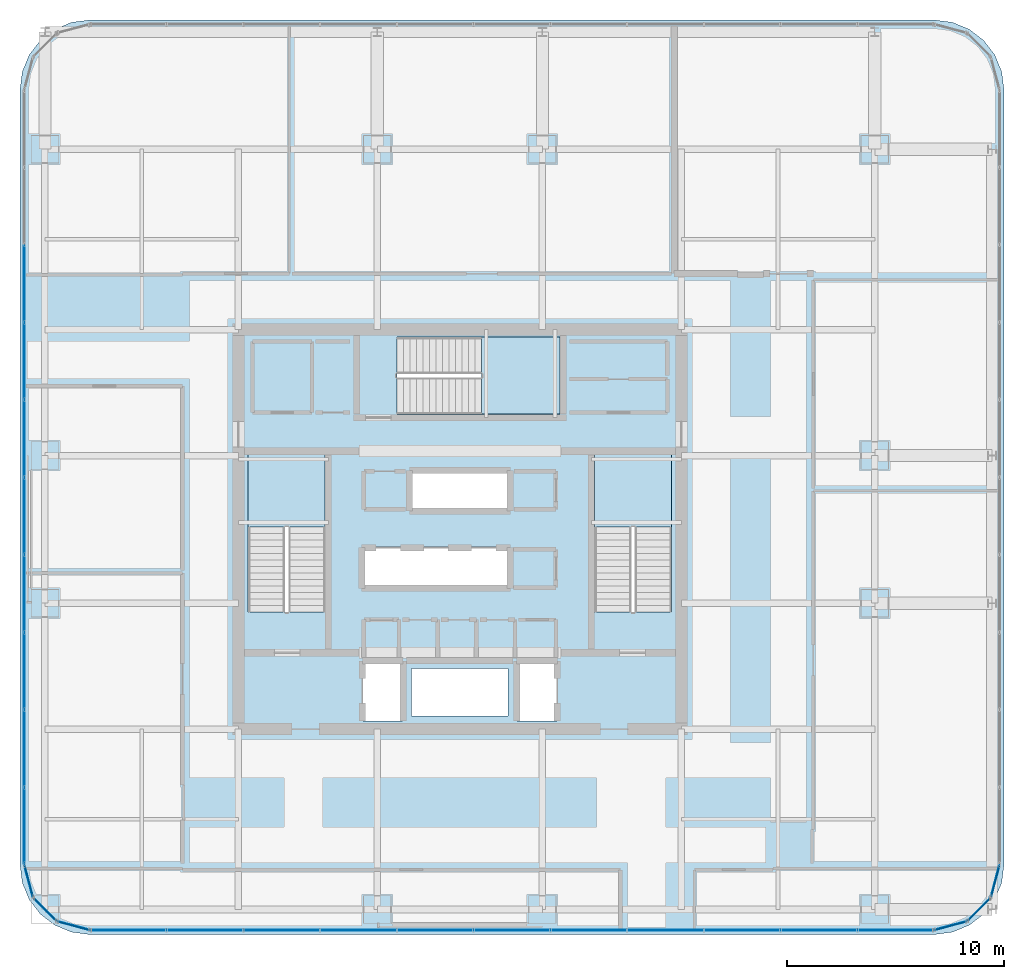
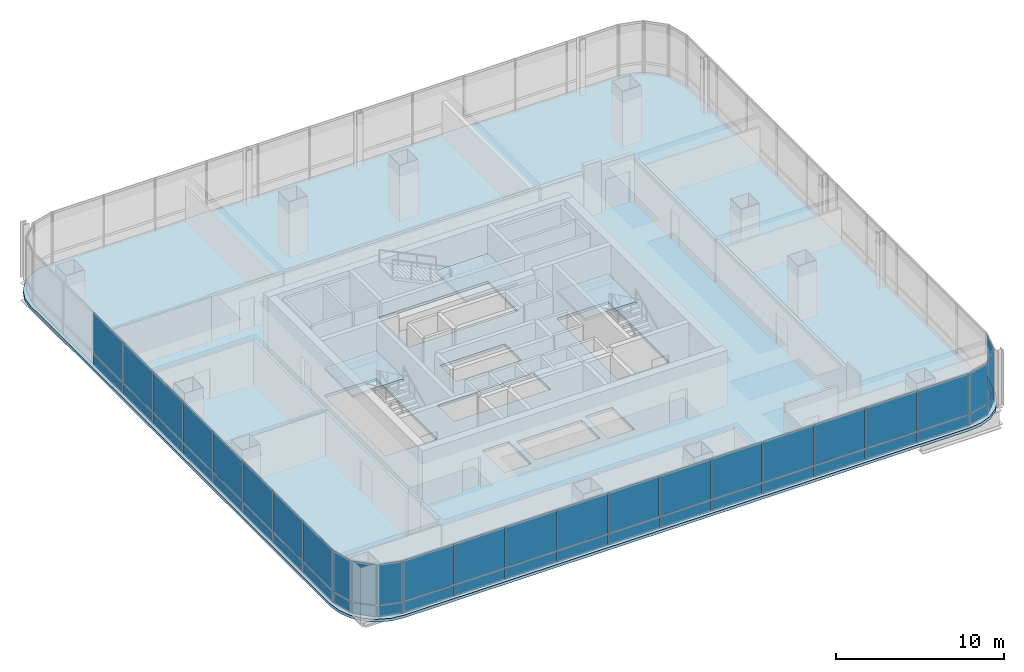
# One storey, part 31 of 40: 50 plates, 4 slabs, 11 elements without a shape of their own.
"""IFC4 building model written with IfcOpenShell, lengths in metres."""

from ifc_helpers import new_model, si_unit, direction, frame, origin, origin_2d, place, context, subcontext, project, spatial, polyline, rectangle, outline, extrude, material, layer, layer_set, type_object, element, aggregate, save


model = new_model("IFC4")

# Units and contexts
model_context = context("Model", 3, precision=1e-05, world=origin(), true_north=direction((0.0, 1.0)))
body_context = subcontext(model_context, "Body", "Model", "MODEL_VIEW")
ifc_project = project(units=[si_unit("LENGTHUNIT", "METRE"), si_unit("AREAUNIT", "SQUARE_METRE"), si_unit("VOLUMEUNIT", "CUBIC_METRE"), si_unit("PLANEANGLEUNIT", "RADIAN"), si_unit("MASSUNIT", "GRAM", prefix="KILO")], contexts=[model_context])

# Site, building, storey
site_placement = place(None, origin())
site = spatial("IfcSite", under=ifc_project, at=site_placement, CompositionType="ELEMENT")
building_placement = place(site_placement, origin())
building = spatial("IfcBuilding", under=site, at=building_placement, Name="Punatoya Terracotta Tower", CompositionType="ELEMENT")
storey_placement = place(building_placement, frame((0.0, 0.0, 271.64990234375)))
storey = spatial("IfcBuildingStorey", under=building, at=storey_placement, Name="L64", CompositionType="ELEMENT", Elevation=271.64990234375)

# Curtain wall, plates
ifc_material_1 = material(Name="Aluminium 6063-T6 + Double Low-E Glass", Category="aluminium")
curtain_wall_type = type_object("IfcCurtainWallType", Name="CW-M3", PredefinedType="NOTDEFINED", material=ifc_material_1)
curtain_wall_1_placement = place(storey_placement, origin())
curtain_wall_1 = element("IfcCurtainWall", 1, at=curtain_wall_1_placement, inside=storey, type_object=curtain_wall_type, Name="L64 Curtain Wall CW-L64-S01-1", PredefinedType="NOTDEFINED")
ifc_material_2 = material(Name="Double Low-E Acoustic Vision Glass", Category="glass")
ifc_layer_1 = layer(ifc_material_2, 0.031982421875)
ifc_layer_set_1 = layer_set([ifc_layer_1], Name="Double Low-E Acoustic Vision Glass")
plate_type_1 = type_object("IfcPlateType", Name="PLT-GLZ-32", PredefinedType="CURTAIN_PANEL", material=ifc_layer_set_1)
plate_1_placement = place(storey_placement, frame((-15.27001953125, -18.449951171875, 0.89013671875), z_axis=(0.0, 0.0, 1.0), x_axis=(1.0, 0.0, 0.0)))
plate_1 = element("IfcPlate", 2, at=plate_1_placement, type_object=plate_type_1, Name="CW-L64-S01-1 Vision Glass Panel 1", PredefinedType="CURTAIN_PANEL", context=body_context, shape_type="SweptSolid", body=[
    extrude(rectangle(XDim=3.448974609375, YDim=0.031982421875, at=origin_2d()), origin(), (0.0, 0.0, 1.0), 2.919921875),
])
plate_2_placement = place(storey_placement, frame((-11.73583984375, -18.449951171875, 0.89013671875), z_axis=(0.0, 0.0, 1.0), x_axis=(1.0, 0.0, 0.0)))
plate_2 = element("IfcPlate", 3, at=plate_2_placement, type_object=plate_type_1, Name="CW-L64-S01-1 Vision Glass Panel 2", PredefinedType="CURTAIN_PANEL", context=body_context, shape_type="SweptSolid", body=[
    extrude(rectangle(XDim=3.448974609375, YDim=0.031982421875, at=origin_2d()), origin(), (0.0, 0.0, 1.0), 2.919921875),
])
plate_3_placement = place(storey_placement, frame((-8.201904296875, -18.449951171875, 0.89013671875), z_axis=(0.0, 0.0, 1.0), x_axis=(1.0, 0.0, 0.0)))
plate_3 = element("IfcPlate", 4, at=plate_3_placement, type_object=plate_type_1, Name="CW-L64-S01-1 Vision Glass Panel 3", PredefinedType="CURTAIN_PANEL", context=body_context, shape_type="SweptSolid", body=[
    extrude(rectangle(XDim=3.448974609375, YDim=0.031982421875, at=origin_2d()), origin(), (0.0, 0.0, 1.0), 2.919921875),
])
plate_4_placement = place(storey_placement, frame((-4.66796875, -18.449951171875, 0.89013671875), z_axis=(0.0, 0.0, 1.0), x_axis=(1.0, 0.0, 0.0)))
plate_4 = element("IfcPlate", 5, at=plate_4_placement, type_object=plate_type_1, Name="CW-L64-S01-1 Vision Glass Panel 4", PredefinedType="CURTAIN_PANEL", context=body_context, shape_type="SweptSolid", body=[
    extrude(rectangle(XDim=3.448974609375, YDim=0.031982421875, at=origin_2d()), origin(), (0.0, 0.0, 1.0), 2.919921875),
])
plate_5_placement = place(storey_placement, frame((-1.134033203125, -18.449951171875, 0.89013671875), z_axis=(0.0, 0.0, 1.0), x_axis=(1.0, 0.0, 0.0)))
plate_5 = element("IfcPlate", 6, at=plate_5_placement, type_object=plate_type_1, Name="CW-L64-S01-1 Vision Glass Panel 5", PredefinedType="CURTAIN_PANEL", context=body_context, shape_type="SweptSolid", body=[
    extrude(rectangle(XDim=3.448974609375, YDim=0.031982421875, at=origin_2d()), origin(), (0.0, 0.0, 1.0), 2.919921875),
])
plate_6_placement = place(storey_placement, frame((2.39990234375, -18.449951171875, 0.89013671875), z_axis=(0.0, 0.0, 1.0), x_axis=(1.0, 0.0, 0.0)))
plate_6 = element("IfcPlate", 7, at=plate_6_placement, type_object=plate_type_1, Name="CW-L64-S01-1 Vision Glass Panel 6", PredefinedType="CURTAIN_PANEL", context=body_context, shape_type="SweptSolid", body=[
    extrude(rectangle(XDim=3.448974609375, YDim=0.031982421875, at=origin_2d()), origin(), (0.0, 0.0, 1.0), 2.919921875),
])
plate_7_placement = place(storey_placement, frame((5.93408203125, -18.449951171875, 0.89013671875), z_axis=(0.0, 0.0, 1.0), x_axis=(1.0, 0.0, 0.0)))
plate_7 = element("IfcPlate", 8, at=plate_7_placement, type_object=plate_type_1, Name="CW-L64-S01-1 Vision Glass Panel 7", PredefinedType="CURTAIN_PANEL", context=body_context, shape_type="SweptSolid", body=[
    extrude(rectangle(XDim=3.448974609375, YDim=0.031982421875, at=origin_2d()), origin(), (0.0, 0.0, 1.0), 2.919921875),
])
plate_8_placement = place(storey_placement, frame((9.468017578125, -18.449951171875, 0.89013671875), z_axis=(0.0, 0.0, 1.0), x_axis=(1.0, 0.0, 0.0)))
plate_8 = element("IfcPlate", 9, at=plate_8_placement, type_object=plate_type_1, Name="CW-L64-S01-1 Vision Glass Panel 8", PredefinedType="CURTAIN_PANEL", context=body_context, shape_type="SweptSolid", body=[
    extrude(rectangle(XDim=3.448974609375, YDim=0.031982421875, at=origin_2d()), origin(), (0.0, 0.0, 1.0), 2.919921875),
])
plate_9_placement = place(storey_placement, frame((13.001953125, -18.449951171875, 0.89013671875), z_axis=(0.0, 0.0, 1.0), x_axis=(1.0, 0.0, 0.0)))
plate_9 = element("IfcPlate", 10, at=plate_9_placement, type_object=plate_type_1, Name="CW-L64-S01-1 Vision Glass Panel 9", PredefinedType="CURTAIN_PANEL", context=body_context, shape_type="SweptSolid", body=[
    extrude(rectangle(XDim=3.448974609375, YDim=0.031982421875, at=origin_2d()), origin(), (0.0, 0.0, 1.0), 2.919921875),
])
plate_10_placement = place(storey_placement, frame((16.535888671875, -18.449951171875, 0.89013671875), z_axis=(0.0, 0.0, 1.0), x_axis=(1.0, 0.0, 0.0)))
plate_10 = element("IfcPlate", 11, at=plate_10_placement, type_object=plate_type_1, Name="CW-L64-S01-1 Vision Glass Panel 10", PredefinedType="CURTAIN_PANEL", context=body_context, shape_type="SweptSolid", body=[
    extrude(rectangle(XDim=3.448974609375, YDim=0.031982421875, at=origin_2d()), origin(), (0.0, 0.0, 1.0), 2.919921875),
])
plate_11_placement = place(storey_placement, frame((20.06982421875, -18.449951171875, 0.89013671875), z_axis=(0.0, 0.0, 1.0), x_axis=(1.0, 0.0, 0.0)))
plate_11 = element("IfcPlate", 12, at=plate_11_placement, type_object=plate_type_1, Name="CW-L64-S01-1 Vision Glass Panel 11", PredefinedType="CURTAIN_PANEL", context=body_context, shape_type="SweptSolid", body=[
    extrude(rectangle(XDim=3.448974609375, YDim=0.031982421875, at=origin_2d()), origin(), (0.0, 0.0, 1.0), 2.919921875),
])

# Curtain wall, plate
curtain_wall_2_placement = place(storey_placement, origin())
curtain_wall_2 = element("IfcCurtainWall", 13, at=curtain_wall_2_placement, inside=storey, type_object=curtain_wall_type, Name="L64 Curtain Wall CW-L64-CRN02", PredefinedType="NOTDEFINED")
plate_12_placement = place(storey_placement, frame((22.593017578125, -18.248291015625, 0.89013671875), z_axis=(0.0, 0.0, 1.0), x_axis=(0.966213877436, 0.257741620719, 0.0)))
plate_12 = element("IfcPlate", 14, at=plate_12_placement, type_object=plate_type_1, Name="CW-L64-CRN02 Vision Glass Panel 1", PredefinedType="CURTAIN_PANEL", context=body_context, shape_type="SweptSolid", body=[
    extrude(rectangle(XDim=1.47998046875, YDim=0.031982421875, at=origin_2d()), origin(), (0.0, 0.0, 1.0), 2.919921875),
])

curtain_wall_3_placement = place(storey_placement, origin())
curtain_wall_3 = element("IfcCurtainWall", 15, at=curtain_wall_3_placement, inside=storey, type_object=curtain_wall_type, Name="L64 Curtain Wall CW-L64-CRN03", PredefinedType="NOTDEFINED")
plate_13_placement = place(storey_placement, frame((23.89794921875, -17.497802734375, 0.89013671875), z_axis=(0.0, 0.0, 1.0), x_axis=(0.707106781187, 0.707106781187, 0.0)))
plate_13 = element("IfcPlate", 16, at=plate_13_placement, type_object=plate_type_1, Name="CW-L64-CRN03 Vision Glass Panel 1", PredefinedType="CURTAIN_PANEL", context=body_context, shape_type="SweptSolid", body=[
    extrude(rectangle(XDim=1.467041015625, YDim=0.031982421875, at=origin_2d()), origin(), (0.0, 0.0, 1.0), 2.919921875),
])

curtain_wall_4_placement = place(storey_placement, origin())
curtain_wall_4 = element("IfcCurtainWall", 17, at=curtain_wall_4_placement, inside=storey, type_object=curtain_wall_type, Name="L64 Curtain Wall CW-L64-CRN04", PredefinedType="NOTDEFINED")
plate_14_placement = place(storey_placement, frame((24.648193359375, -16.193115234375, 0.89013671875), z_axis=(0.0, 0.0, 1.0), x_axis=(0.257741620719, 0.966213877436, 0.0)))
plate_14 = element("IfcPlate", 18, at=plate_14_placement, type_object=plate_type_1, Name="CW-L64-CRN04 Vision Glass Panel 1", PredefinedType="CURTAIN_PANEL", context=body_context, shape_type="SweptSolid", body=[
    extrude(rectangle(XDim=1.47998046875, YDim=0.031982421875, at=origin_2d()), origin(), (0.0, 0.0, 1.0), 2.919921875),
])

# Curtain wall, plates
curtain_wall_5_placement = place(storey_placement, origin())
curtain_wall_5 = element("IfcCurtainWall", 19, at=curtain_wall_5_placement, inside=storey, type_object=curtain_wall_type, Name="L64 Curtain Wall CW-L64-W13-1", PredefinedType="NOTDEFINED")
plate_15_placement = place(storey_placement, frame((-20.050048828125, 11.318359375, 0.89013671875), z_axis=(0.0, 0.0, 1.0), x_axis=(0.0, -1.0, 0.0)))
plate_15 = element("IfcPlate", 20, at=plate_15_placement, type_object=plate_type_1, Name="CW-L64-W13-1 Vision Glass Panel 3", PredefinedType="CURTAIN_PANEL", context=body_context, shape_type="SweptSolid", body=[
    extrude(rectangle(XDim=3.482421875, YDim=0.031982421875, at=origin_2d()), origin(), (0.0, 0.0, 1.0), 2.919921875),
])
plate_16_placement = place(storey_placement, frame((-20.050048828125, 7.751220703125, 0.89013671875), z_axis=(0.0, 0.0, 1.0), x_axis=(0.0, -1.0, 0.0)))
plate_16 = element("IfcPlate", 21, at=plate_16_placement, type_object=plate_type_1, Name="CW-L64-W13-1 Vision Glass Panel 4", PredefinedType="CURTAIN_PANEL", context=body_context, shape_type="SweptSolid", body=[
    extrude(rectangle(XDim=3.482421875, YDim=0.031982421875, at=origin_2d()), origin(), (0.0, 0.0, 1.0), 2.919921875),
])
plate_17_placement = place(storey_placement, frame((-20.050048828125, 4.18359375, 0.89013671875), z_axis=(0.0, 0.0, 1.0), x_axis=(0.0, -1.0, 0.0)))
plate_17 = element("IfcPlate", 22, at=plate_17_placement, type_object=plate_type_1, Name="CW-L64-W13-1 Vision Glass Panel 5", PredefinedType="CURTAIN_PANEL", context=body_context, shape_type="SweptSolid", body=[
    extrude(rectangle(XDim=3.482421875, YDim=0.031982421875, at=origin_2d()), origin(), (0.0, 0.0, 1.0), 2.919921875),
])
plate_18_placement = place(storey_placement, frame((-20.050048828125, 0.6162109375, 0.89013671875), z_axis=(0.0, 0.0, 1.0), x_axis=(0.0, -1.0, 0.0)))
plate_18 = element("IfcPlate", 23, at=plate_18_placement, type_object=plate_type_1, Name="CW-L64-W13-1 Vision Glass Panel 6", PredefinedType="CURTAIN_PANEL", context=body_context, shape_type="SweptSolid", body=[
    extrude(rectangle(XDim=3.482421875, YDim=0.031982421875, at=origin_2d()), origin(), (0.0, 0.0, 1.0), 2.919921875),
])
plate_19_placement = place(storey_placement, frame((-20.050048828125, -2.951171875, 0.89013671875), z_axis=(0.0, 0.0, 1.0), x_axis=(0.0, -1.0, 0.0)))
plate_19 = element("IfcPlate", 24, at=plate_19_placement, type_object=plate_type_1, Name="CW-L64-W13-1 Vision Glass Panel 7", PredefinedType="CURTAIN_PANEL", context=body_context, shape_type="SweptSolid", body=[
    extrude(rectangle(XDim=3.482421875, YDim=0.031982421875, at=origin_2d()), origin(), (0.0, 0.0, 1.0), 2.919921875),
])
plate_20_placement = place(storey_placement, frame((-20.050048828125, -6.518310546875, 0.89013671875), z_axis=(0.0, 0.0, 1.0), x_axis=(0.0, -1.0, 0.0)))
plate_20 = element("IfcPlate", 25, at=plate_20_placement, type_object=plate_type_1, Name="CW-L64-W13-1 Vision Glass Panel 8", PredefinedType="CURTAIN_PANEL", context=body_context, shape_type="SweptSolid", body=[
    extrude(rectangle(XDim=3.482421875, YDim=0.031982421875, at=origin_2d()), origin(), (0.0, 0.0, 1.0), 2.919921875),
])
plate_21_placement = place(storey_placement, frame((-20.050048828125, -10.085693359375, 0.89013671875), z_axis=(0.0, 0.0, 1.0), x_axis=(0.0, -1.0, 0.0)))
plate_21 = element("IfcPlate", 26, at=plate_21_placement, type_object=plate_type_1, Name="CW-L64-W13-1 Vision Glass Panel 9", PredefinedType="CURTAIN_PANEL", context=body_context, shape_type="SweptSolid", body=[
    extrude(rectangle(XDim=3.482421875, YDim=0.031982421875, at=origin_2d()), origin(), (0.0, 0.0, 1.0), 2.919921875),
])
plate_22_placement = place(storey_placement, frame((-20.050048828125, -13.6533203125, 0.89013671875), z_axis=(0.0, 0.0, 1.0), x_axis=(0.0, -1.0, 0.0)))
plate_22 = element("IfcPlate", 27, at=plate_22_placement, type_object=plate_type_1, Name="CW-L64-W13-1 Vision Glass Panel 10", PredefinedType="CURTAIN_PANEL", context=body_context, shape_type="SweptSolid", body=[
    extrude(rectangle(XDim=3.482421875, YDim=0.031982421875, at=origin_2d()), origin(), (0.0, 0.0, 1.0), 2.919921875),
])

# Curtain wall, plate
curtain_wall_6_placement = place(storey_placement, origin())
curtain_wall_6 = element("IfcCurtainWall", 28, at=curtain_wall_6_placement, inside=storey, type_object=curtain_wall_type, Name="L64 Curtain Wall CW-L64-CRN14", PredefinedType="NOTDEFINED")
plate_23_placement = place(storey_placement, frame((-19.848388671875, -16.193115234375, 0.89013671875), z_axis=(0.0, 0.0, 1.0), x_axis=(0.257741620719, -0.966213877436, 0.0)))
plate_23 = element("IfcPlate", 29, at=plate_23_placement, type_object=plate_type_1, Name="CW-L64-CRN14 Vision Glass Panel 1", PredefinedType="CURTAIN_PANEL", context=body_context, shape_type="SweptSolid", body=[
    extrude(rectangle(XDim=1.47998046875, YDim=0.031982421875, at=origin_2d()), origin(), (0.0, 0.0, 1.0), 2.919921875),
])

curtain_wall_7_placement = place(storey_placement, origin())
curtain_wall_7 = element("IfcCurtainWall", 30, at=curtain_wall_7_placement, inside=storey, type_object=curtain_wall_type, Name="L64 Curtain Wall CW-L64-CRN15", PredefinedType="NOTDEFINED")
plate_24_placement = place(storey_placement, frame((-19.097900390625, -17.497802734375, 0.89013671875), z_axis=(0.0, 0.0, 1.0), x_axis=(0.707106781187, -0.707106781187, 0.0)))
plate_24 = element("IfcPlate", 31, at=plate_24_placement, type_object=plate_type_1, Name="CW-L64-CRN15 Vision Glass Panel 1", PredefinedType="CURTAIN_PANEL", context=body_context, shape_type="SweptSolid", body=[
    extrude(rectangle(XDim=1.467041015625, YDim=0.031982421875, at=origin_2d()), origin(), (0.0, 0.0, 1.0), 2.919921875),
])

curtain_wall_8_placement = place(storey_placement, origin())
curtain_wall_8 = element("IfcCurtainWall", 32, at=curtain_wall_8_placement, inside=storey, type_object=curtain_wall_type, Name="L64 Curtain Wall CW-L64-CRN16", PredefinedType="NOTDEFINED")
plate_25_placement = place(storey_placement, frame((-17.79296875, -18.248291015625, 0.89013671875), z_axis=(0.0, 0.0, 1.0), x_axis=(0.966213877436, -0.257741620719, 0.0)))
plate_25 = element("IfcPlate", 33, at=plate_25_placement, type_object=plate_type_1, Name="CW-L64-CRN16 Vision Glass Panel 1", PredefinedType="CURTAIN_PANEL", context=body_context, shape_type="SweptSolid", body=[
    extrude(rectangle(XDim=1.47998046875, YDim=0.031982421875, at=origin_2d()), origin(), (0.0, 0.0, 1.0), 2.919921875),
])

# Plate
ifc_material_3 = material(Name="Insulated Terracotta-Backed Spandrel Panel", Category="masonry")
ifc_layer_2 = layer(ifc_material_3, 0.044921875)
ifc_layer_set_2 = layer_set([ifc_layer_2], Name="Insulated Terracotta-Backed Spandrel Panel")
plate_type_2 = type_object("IfcPlateType", Name="PLT-SPN-45", PredefinedType="CURTAIN_PANEL", material=ifc_layer_set_2)
plate_26_placement = place(storey_placement, frame((-15.27001953125, -18.449951171875, 0.0400390625), z_axis=(0.0, 0.0, 1.0), x_axis=(1.0, 0.0, 0.0)))
plate_26 = element("IfcPlate", 34, at=plate_26_placement, type_object=plate_type_2, Name="CW-L64-S01-1 Terracotta Spandrel Panel 1", PredefinedType="CURTAIN_PANEL", context=body_context, shape_type="SweptSolid", body=[
    extrude(rectangle(XDim=3.448974609375, YDim=0.044921875, at=origin_2d()), origin(), (0.0, 0.0, 1.0), 0.77490234375),
])

plate_27_placement = place(storey_placement, frame((-11.73583984375, -18.449951171875, 0.0400390625), z_axis=(0.0, 0.0, 1.0), x_axis=(1.0, 0.0, 0.0)))
plate_27 = element("IfcPlate", 35, at=plate_27_placement, type_object=plate_type_2, Name="CW-L64-S01-1 Terracotta Spandrel Panel 2", PredefinedType="CURTAIN_PANEL", context=body_context, shape_type="SweptSolid", body=[
    extrude(rectangle(XDim=3.448974609375, YDim=0.044921875, at=origin_2d()), origin(), (0.0, 0.0, 1.0), 0.77490234375),
])

plate_28_placement = place(storey_placement, frame((-8.201904296875, -18.449951171875, 0.0400390625), z_axis=(0.0, 0.0, 1.0), x_axis=(1.0, 0.0, 0.0)))
plate_28 = element("IfcPlate", 36, at=plate_28_placement, type_object=plate_type_2, Name="CW-L64-S01-1 Terracotta Spandrel Panel 3", PredefinedType="CURTAIN_PANEL", context=body_context, shape_type="SweptSolid", body=[
    extrude(rectangle(XDim=3.448974609375, YDim=0.044921875, at=origin_2d()), origin(), (0.0, 0.0, 1.0), 0.77490234375),
])

plate_29_placement = place(storey_placement, frame((-4.66796875, -18.449951171875, 0.0400390625), z_axis=(0.0, 0.0, 1.0), x_axis=(1.0, 0.0, 0.0)))
plate_29 = element("IfcPlate", 37, at=plate_29_placement, type_object=plate_type_2, Name="CW-L64-S01-1 Terracotta Spandrel Panel 4", PredefinedType="CURTAIN_PANEL", context=body_context, shape_type="SweptSolid", body=[
    extrude(rectangle(XDim=3.448974609375, YDim=0.044921875, at=origin_2d()), origin(), (0.0, 0.0, 1.0), 0.77490234375),
])

plate_30_placement = place(storey_placement, frame((-1.134033203125, -18.449951171875, 0.0400390625), z_axis=(0.0, 0.0, 1.0), x_axis=(1.0, 0.0, 0.0)))
plate_30 = element("IfcPlate", 38, at=plate_30_placement, type_object=plate_type_2, Name="CW-L64-S01-1 Terracotta Spandrel Panel 5", PredefinedType="CURTAIN_PANEL", context=body_context, shape_type="SweptSolid", body=[
    extrude(rectangle(XDim=3.448974609375, YDim=0.044921875, at=origin_2d()), origin(), (0.0, 0.0, 1.0), 0.77490234375),
])

plate_31_placement = place(storey_placement, frame((2.39990234375, -18.449951171875, 0.0400390625), z_axis=(0.0, 0.0, 1.0), x_axis=(1.0, 0.0, 0.0)))
plate_31 = element("IfcPlate", 39, at=plate_31_placement, type_object=plate_type_2, Name="CW-L64-S01-1 Terracotta Spandrel Panel 6", PredefinedType="CURTAIN_PANEL", context=body_context, shape_type="SweptSolid", body=[
    extrude(rectangle(XDim=3.448974609375, YDim=0.044921875, at=origin_2d()), origin(), (0.0, 0.0, 1.0), 0.77490234375),
])

plate_32_placement = place(storey_placement, frame((5.93408203125, -18.449951171875, 0.0400390625), z_axis=(0.0, 0.0, 1.0), x_axis=(1.0, 0.0, 0.0)))
plate_32 = element("IfcPlate", 40, at=plate_32_placement, type_object=plate_type_2, Name="CW-L64-S01-1 Terracotta Spandrel Panel 7", PredefinedType="CURTAIN_PANEL", context=body_context, shape_type="SweptSolid", body=[
    extrude(rectangle(XDim=3.448974609375, YDim=0.044921875, at=origin_2d()), origin(), (0.0, 0.0, 1.0), 0.77490234375),
])

plate_33_placement = place(storey_placement, frame((9.468017578125, -18.449951171875, 0.0400390625), z_axis=(0.0, 0.0, 1.0), x_axis=(1.0, 0.0, 0.0)))
plate_33 = element("IfcPlate", 41, at=plate_33_placement, type_object=plate_type_2, Name="CW-L64-S01-1 Terracotta Spandrel Panel 8", PredefinedType="CURTAIN_PANEL", context=body_context, shape_type="SweptSolid", body=[
    extrude(rectangle(XDim=3.448974609375, YDim=0.044921875, at=origin_2d()), origin(), (0.0, 0.0, 1.0), 0.77490234375),
])

plate_34_placement = place(storey_placement, frame((13.001953125, -18.449951171875, 0.0400390625), z_axis=(0.0, 0.0, 1.0), x_axis=(1.0, 0.0, 0.0)))
plate_34 = element("IfcPlate", 42, at=plate_34_placement, type_object=plate_type_2, Name="CW-L64-S01-1 Terracotta Spandrel Panel 9", PredefinedType="CURTAIN_PANEL", context=body_context, shape_type="SweptSolid", body=[
    extrude(rectangle(XDim=3.448974609375, YDim=0.044921875, at=origin_2d()), origin(), (0.0, 0.0, 1.0), 0.77490234375),
])

plate_35_placement = place(storey_placement, frame((16.535888671875, -18.449951171875, 0.0400390625), z_axis=(0.0, 0.0, 1.0), x_axis=(1.0, 0.0, 0.0)))
plate_35 = element("IfcPlate", 43, at=plate_35_placement, type_object=plate_type_2, Name="CW-L64-S01-1 Terracotta Spandrel Panel 10", PredefinedType="CURTAIN_PANEL", context=body_context, shape_type="SweptSolid", body=[
    extrude(rectangle(XDim=3.448974609375, YDim=0.044921875, at=origin_2d()), origin(), (0.0, 0.0, 1.0), 0.77490234375),
])

plate_36_placement = place(storey_placement, frame((20.06982421875, -18.449951171875, 0.0400390625), z_axis=(0.0, 0.0, 1.0), x_axis=(1.0, 0.0, 0.0)))
plate_36 = element("IfcPlate", 44, at=plate_36_placement, type_object=plate_type_2, Name="CW-L64-S01-1 Terracotta Spandrel Panel 11", PredefinedType="CURTAIN_PANEL", context=body_context, shape_type="SweptSolid", body=[
    extrude(rectangle(XDim=3.448974609375, YDim=0.044921875, at=origin_2d()), origin(), (0.0, 0.0, 1.0), 0.77490234375),
])

aggregate(curtain_wall_1, [plate_26, plate_1, plate_27, plate_2, plate_28, plate_3, plate_29, plate_4, plate_30, plate_5, plate_31, plate_6, plate_32, plate_7, plate_33, plate_8, plate_34, plate_9, plate_35, plate_10, plate_36, plate_11])

plate_37_placement = place(storey_placement, frame((22.593017578125, -18.248291015625, 0.0400390625), z_axis=(0.0, 0.0, 1.0), x_axis=(0.966213877436, 0.257741620719, 0.0)))
plate_37 = element("IfcPlate", 45, at=plate_37_placement, type_object=plate_type_2, Name="CW-L64-CRN02 Terracotta Spandrel Panel 1", PredefinedType="CURTAIN_PANEL", context=body_context, shape_type="SweptSolid", body=[
    extrude(rectangle(XDim=1.47998046875, YDim=0.044921875, at=origin_2d()), origin(), (0.0, 0.0, 1.0), 0.77490234375),
])

aggregate(curtain_wall_2, [plate_37, plate_12])

plate_38_placement = place(storey_placement, frame((23.89794921875, -17.497802734375, 0.0400390625), z_axis=(0.0, 0.0, 1.0), x_axis=(0.707106781187, 0.707106781187, 0.0)))
plate_38 = element("IfcPlate", 46, at=plate_38_placement, type_object=plate_type_2, Name="CW-L64-CRN03 Terracotta Spandrel Panel 1", PredefinedType="CURTAIN_PANEL", context=body_context, shape_type="SweptSolid", body=[
    extrude(rectangle(XDim=1.467041015625, YDim=0.044921875, at=origin_2d()), origin(), (0.0, 0.0, 1.0), 0.77490234375),
])

aggregate(curtain_wall_3, [plate_38, plate_13])

plate_39_placement = place(storey_placement, frame((24.648193359375, -16.193115234375, 0.0400390625), z_axis=(0.0, 0.0, 1.0), x_axis=(0.257741620719, 0.966213877436, 0.0)))
plate_39 = element("IfcPlate", 47, at=plate_39_placement, type_object=plate_type_2, Name="CW-L64-CRN04 Terracotta Spandrel Panel 1", PredefinedType="CURTAIN_PANEL", context=body_context, shape_type="SweptSolid", body=[
    extrude(rectangle(XDim=1.47998046875, YDim=0.044921875, at=origin_2d()), origin(), (0.0, 0.0, 1.0), 0.77490234375),
])

aggregate(curtain_wall_4, [plate_39, plate_14])

plate_40_placement = place(storey_placement, frame((-20.050048828125, 11.318359375, 0.0400390625), z_axis=(0.0, 0.0, 1.0), x_axis=(0.0, -1.0, 0.0)))
plate_40 = element("IfcPlate", 48, at=plate_40_placement, type_object=plate_type_2, Name="CW-L64-W13-1 Terracotta Spandrel Panel 3", PredefinedType="CURTAIN_PANEL", context=body_context, shape_type="SweptSolid", body=[
    extrude(rectangle(XDim=3.482421875, YDim=0.044921875, at=origin_2d()), origin(), (0.0, 0.0, 1.0), 0.77490234375),
])

plate_41_placement = place(storey_placement, frame((-20.050048828125, 7.751220703125, 0.0400390625), z_axis=(0.0, 0.0, 1.0), x_axis=(0.0, -1.0, 0.0)))
plate_41 = element("IfcPlate", 49, at=plate_41_placement, type_object=plate_type_2, Name="CW-L64-W13-1 Terracotta Spandrel Panel 4", PredefinedType="CURTAIN_PANEL", context=body_context, shape_type="SweptSolid", body=[
    extrude(rectangle(XDim=3.482421875, YDim=0.044921875, at=origin_2d()), origin(), (0.0, 0.0, 1.0), 0.77490234375),
])

plate_42_placement = place(storey_placement, frame((-20.050048828125, 4.18359375, 0.0400390625), z_axis=(0.0, 0.0, 1.0), x_axis=(0.0, -1.0, 0.0)))
plate_42 = element("IfcPlate", 50, at=plate_42_placement, type_object=plate_type_2, Name="CW-L64-W13-1 Terracotta Spandrel Panel 5", PredefinedType="CURTAIN_PANEL", context=body_context, shape_type="SweptSolid", body=[
    extrude(rectangle(XDim=3.482421875, YDim=0.044921875, at=origin_2d()), origin(), (0.0, 0.0, 1.0), 0.77490234375),
])

plate_43_placement = place(storey_placement, frame((-20.050048828125, 0.6162109375, 0.0400390625), z_axis=(0.0, 0.0, 1.0), x_axis=(0.0, -1.0, 0.0)))
plate_43 = element("IfcPlate", 51, at=plate_43_placement, type_object=plate_type_2, Name="CW-L64-W13-1 Terracotta Spandrel Panel 6", PredefinedType="CURTAIN_PANEL", context=body_context, shape_type="SweptSolid", body=[
    extrude(rectangle(XDim=3.482421875, YDim=0.044921875, at=origin_2d()), origin(), (0.0, 0.0, 1.0), 0.77490234375),
])

plate_44_placement = place(storey_placement, frame((-20.050048828125, -2.951171875, 0.0400390625), z_axis=(0.0, 0.0, 1.0), x_axis=(0.0, -1.0, 0.0)))
plate_44 = element("IfcPlate", 52, at=plate_44_placement, type_object=plate_type_2, Name="CW-L64-W13-1 Terracotta Spandrel Panel 7", PredefinedType="CURTAIN_PANEL", context=body_context, shape_type="SweptSolid", body=[
    extrude(rectangle(XDim=3.482421875, YDim=0.044921875, at=origin_2d()), origin(), (0.0, 0.0, 1.0), 0.77490234375),
])

plate_45_placement = place(storey_placement, frame((-20.050048828125, -6.518310546875, 0.0400390625), z_axis=(0.0, 0.0, 1.0), x_axis=(0.0, -1.0, 0.0)))
plate_45 = element("IfcPlate", 53, at=plate_45_placement, type_object=plate_type_2, Name="CW-L64-W13-1 Terracotta Spandrel Panel 8", PredefinedType="CURTAIN_PANEL", context=body_context, shape_type="SweptSolid", body=[
    extrude(rectangle(XDim=3.482421875, YDim=0.044921875, at=origin_2d()), origin(), (0.0, 0.0, 1.0), 0.77490234375),
])

plate_46_placement = place(storey_placement, frame((-20.050048828125, -10.085693359375, 0.0400390625), z_axis=(0.0, 0.0, 1.0), x_axis=(0.0, -1.0, 0.0)))
plate_46 = element("IfcPlate", 54, at=plate_46_placement, type_object=plate_type_2, Name="CW-L64-W13-1 Terracotta Spandrel Panel 9", PredefinedType="CURTAIN_PANEL", context=body_context, shape_type="SweptSolid", body=[
    extrude(rectangle(XDim=3.482421875, YDim=0.044921875, at=origin_2d()), origin(), (0.0, 0.0, 1.0), 0.77490234375),
])

plate_47_placement = place(storey_placement, frame((-20.050048828125, -13.6533203125, 0.0400390625), z_axis=(0.0, 0.0, 1.0), x_axis=(0.0, -1.0, 0.0)))
plate_47 = element("IfcPlate", 55, at=plate_47_placement, type_object=plate_type_2, Name="CW-L64-W13-1 Terracotta Spandrel Panel 10", PredefinedType="CURTAIN_PANEL", context=body_context, shape_type="SweptSolid", body=[
    extrude(rectangle(XDim=3.482421875, YDim=0.044921875, at=origin_2d()), origin(), (0.0, 0.0, 1.0), 0.77490234375),
])

aggregate(curtain_wall_5, [plate_40, plate_15, plate_41, plate_16, plate_42, plate_17, plate_43, plate_18, plate_44, plate_19, plate_45, plate_20, plate_46, plate_21, plate_47, plate_22])

plate_48_placement = place(storey_placement, frame((-19.848388671875, -16.193115234375, 0.0400390625), z_axis=(0.0, 0.0, 1.0), x_axis=(0.257741620719, -0.966213877436, 0.0)))
plate_48 = element("IfcPlate", 56, at=plate_48_placement, type_object=plate_type_2, Name="CW-L64-CRN14 Terracotta Spandrel Panel 1", PredefinedType="CURTAIN_PANEL", context=body_context, shape_type="SweptSolid", body=[
    extrude(rectangle(XDim=1.47998046875, YDim=0.044921875, at=origin_2d()), origin(), (0.0, 0.0, 1.0), 0.77490234375),
])

aggregate(curtain_wall_6, [plate_48, plate_23])

plate_49_placement = place(storey_placement, frame((-19.097900390625, -17.497802734375, 0.0400390625), z_axis=(0.0, 0.0, 1.0), x_axis=(0.707106781187, -0.707106781187, 0.0)))
plate_49 = element("IfcPlate", 57, at=plate_49_placement, type_object=plate_type_2, Name="CW-L64-CRN15 Terracotta Spandrel Panel 1", PredefinedType="CURTAIN_PANEL", context=body_context, shape_type="SweptSolid", body=[
    extrude(rectangle(XDim=1.467041015625, YDim=0.044921875, at=origin_2d()), origin(), (0.0, 0.0, 1.0), 0.77490234375),
])

aggregate(curtain_wall_7, [plate_49, plate_24])

plate_50_placement = place(storey_placement, frame((-17.79296875, -18.248291015625, 0.0400390625), z_axis=(0.0, 0.0, 1.0), x_axis=(0.966213877436, -0.257741620719, 0.0)))
plate_50 = element("IfcPlate", 58, at=plate_50_placement, type_object=plate_type_2, Name="CW-L64-CRN16 Terracotta Spandrel Panel 1", PredefinedType="CURTAIN_PANEL", context=body_context, shape_type="SweptSolid", body=[
    extrude(rectangle(XDim=1.47998046875, YDim=0.044921875, at=origin_2d()), origin(), (0.0, 0.0, 1.0), 0.77490234375),
])

aggregate(curtain_wall_8, [plate_50, plate_25])

# Stair, slab
ifc_material_4 = material(Name="Concrete C40/50", Category="concrete")
stair_type_1 = type_object("IfcStairType", Name="STR-TER-1450", PredefinedType="HALF_TURN_STAIR", material=ifc_material_4)
stair_1_placement = place(storey_placement, origin())
stair_1 = element("IfcStair", 59, at=stair_1_placement, inside=storey, type_object=stair_type_1, Name="L64 Protected Core Exit Stair ST-3", PredefinedType="HALF_TURN_STAIR")
ifc_layer_3 = layer(ifc_material_4, 0.1650390625)
ifc_layer_set_3 = layer_set([ifc_layer_3], Name="Concrete C40/50")
slab_type_1 = type_object("IfcSlabType", Name="SLB-LND-165", PredefinedType="LANDING", material=ifc_layer_set_3)
slab_1_placement = place(storey_placement, frame((0.0, 0.0, 1.8251953125)))
slab_1 = element("IfcSlab", 60, at=slab_1_placement, type_object=slab_type_1, Name="ST-3 landing 1", PredefinedType="LANDING", context=body_context, shape_type="SweptSolid", body=[
    extrude(outline(polyline([(1.0, 5.300048828125), (4.60009765625, 5.300048828125), (4.60009765625, 8.85009765625), (1.0, 8.85009765625), (1.0, 5.300048828125)])), origin(), (0.0, 0.0, 1.0), 0.199951171875),
])
aggregate(stair_1, [slab_1])

stair_type_2 = type_object("IfcStairType", Name="STR-CORE-1550", PredefinedType="HALF_TURN_STAIR", material=ifc_material_4)
stair_2_placement = place(storey_placement, origin())
stair_2 = element("IfcStair", 61, at=stair_2_placement, inside=storey, type_object=stair_type_2, Name="L64 Protected Core Exit Stair ST-1", PredefinedType="HALF_TURN_STAIR")
ifc_layer_4 = layer(ifc_material_4, 0.179931640625)
ifc_layer_set_4 = layer_set([ifc_layer_4], Name="Concrete C40/50")
slab_type_2 = type_object("IfcSlabType", Name="SLB-LND-180", PredefinedType="LANDING", material=ifc_layer_set_4)
slab_2_placement = place(storey_placement, frame((0.0, 0.0, 1.8251953125)))
slab_2 = element("IfcSlab", 62, at=slab_2_placement, type_object=slab_type_2, Name="ST-1 landing 1", PredefinedType="LANDING", context=body_context, shape_type="SweptSolid", body=[
    extrude(outline(polyline([(-6.199951171875, 0.10009765625), (-6.199951171875, 3.449951171875), (-9.75, 3.449951171875), (-9.75, 0.10009765625), (-6.199951171875, 0.10009765625)])), origin(), (0.0, 0.0, 1.0), 0.199951171875),
])
aggregate(stair_2, [slab_2])

stair_type_3 = type_object("IfcStairType", Name="STR-LOB-1650", PredefinedType="HALF_TURN_STAIR", material=ifc_material_4)
stair_3_placement = place(storey_placement, origin())
stair_3 = element("IfcStair", 63, at=stair_3_placement, inside=storey, type_object=stair_type_3, Name="L64 Protected Core Exit Stair ST-2", PredefinedType="HALF_TURN_STAIR")
slab_3_placement = place(storey_placement, frame((0.0, 0.0, 1.8251953125)))
slab_3 = element("IfcSlab", 64, at=slab_3_placement, type_object=slab_type_2, Name="ST-2 landing 1", PredefinedType="LANDING", context=body_context, shape_type="SweptSolid", body=[
    extrude(outline(polyline([(9.75, 0.10009765625), (9.75, 3.449951171875), (6.199951171875, 3.449951171875), (6.199951171875, 0.10009765625), (9.75, 0.10009765625)])), origin(), (0.0, 0.0, 1.0), 0.199951171875),
])
aggregate(stair_3, [slab_3])

# Slab
ifc_layer_5 = layer(ifc_material_4, 0.199951171875)
ifc_layer_set_5 = layer_set([ifc_layer_5], Name="Concrete C40/50")
slab_type_3 = type_object("IfcSlabType", Name="SLB-OFF-200", PredefinedType="FLOOR", material=ifc_layer_set_5)
slab_4_placement = place(storey_placement, frame((0.0, 0.0, -0.199951171875)))
element("IfcSlab", 65, at=slab_4_placement, inside=storey, type_object=slab_type_3, Name="L64 Structural Floor Slab", PredefinedType="FLOOR", context=body_context, shape_type="SweptSolid", body=[
    extrude(outline(polyline([(-17.050048828125, -18.64990234375), (-17.878173828125, -18.541015625), (-18.64990234375, -18.22119140625), (-19.312744140625, -17.712646484375), (-19.8212890625, -17.050048828125), (-20.14111328125, -16.2783203125), (-20.25, -15.449951171875), (-20.25, 20.25), (-20.14111328125, 21.078125), (-19.8212890625, 21.85009765625), (-19.312744140625, 22.5126953125), (-18.64990234375, 23.021240234375), (-17.878173828125, 23.341064453125), (-17.050048828125, 23.449951171875), (21.85009765625, 23.449951171875), (22.67822265625, 23.341064453125), (23.449951171875, 23.021240234375), (24.11279296875, 22.5126953125), (24.621337890625, 21.85009765625), (24.94091796875, 21.078125), (25.050048828125, 20.25), (25.050048828125, -15.449951171875), (24.94091796875, -16.2783203125), (24.621337890625, -17.050048828125), (24.11279296875, -17.712646484375), (23.449951171875, -18.22119140625), (22.67822265625, -18.541015625), (21.85009765625, -18.64990234375), (-17.050048828125, -18.64990234375)]), holes=[polyline([(-2.6298828125, -6.179931640625), (-4.469970703125, -6.179931640625), (-4.469970703125, -8.820068359375), (-2.6298828125, -8.820068359375), (-2.6298828125, -6.179931640625)]), polyline([(0.02001953125, -8.594970703125), (2.219970703125, -8.594970703125), (2.219970703125, -6.405029296875), (0.02001953125, -6.405029296875), (-0.02001953125, -6.405029296875), (-2.219970703125, -6.405029296875), (-2.219970703125, -8.594970703125), (-0.02001953125, -8.594970703125), (0.02001953125, -8.594970703125)]), polyline([(-2.219970703125, -2.719970703125), (-2.179931640625, -2.719970703125), (-0.02001953125, -2.719970703125), (0.02001953125, -2.719970703125), (2.219970703125, -2.719970703125), (2.219970703125, -0.780029296875), (0.02001953125, -0.780029296875), (-0.02001953125, -0.780029296875), (-2.179931640625, -0.780029296875), (-2.219970703125, -0.780029296875), (-4.419921875, -0.780029296875), (-4.419921875, -2.719970703125), (-2.219970703125, -2.719970703125)]), polyline([(-6.199951171875, 3.449951171875), (-9.75, 3.449951171875), (-9.75, -3.79931640625), (-6.199951171875, -3.79931640625), (-6.199951171875, 3.449951171875)]), polyline([(0.02001953125, 0.780029296875), (2.219970703125, 0.780029296875), (2.219970703125, 2.719970703125), (0.02001953125, 2.719970703125), (-0.02001953125, 2.719970703125), (-2.219970703125, 2.719970703125), (-2.219970703125, 0.780029296875), (-0.02001953125, 0.780029296875), (0.02001953125, 0.780029296875)]), polyline([(4.469970703125, -8.820068359375), (4.469970703125, -6.179931640625), (2.6298828125, -6.179931640625), (2.6298828125, -8.820068359375), (4.469970703125, -8.820068359375)]), polyline([(6.199951171875, 3.449951171875), (6.199951171875, -3.79931640625), (9.75, -3.79931640625), (9.75, 3.449951171875), (6.199951171875, 3.449951171875)]), polyline([(4.60009765625, 5.300048828125), (4.60009765625, 8.85009765625), (-2.899169921875, 8.85009765625), (-2.899169921875, 5.300048828125), (4.60009765625, 5.300048828125)])]), origin(), (0.0, 0.0, 1.0), 0.199951171875),
])

save(model, "model.ifc")
